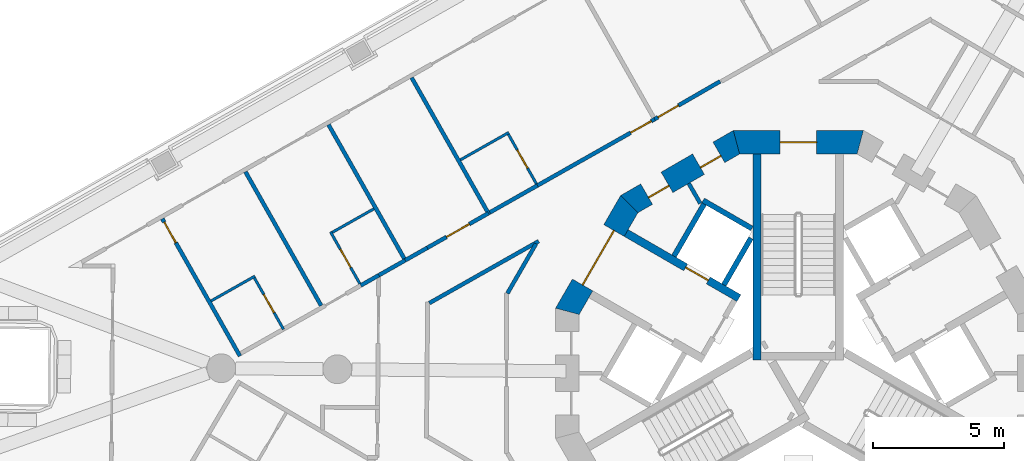
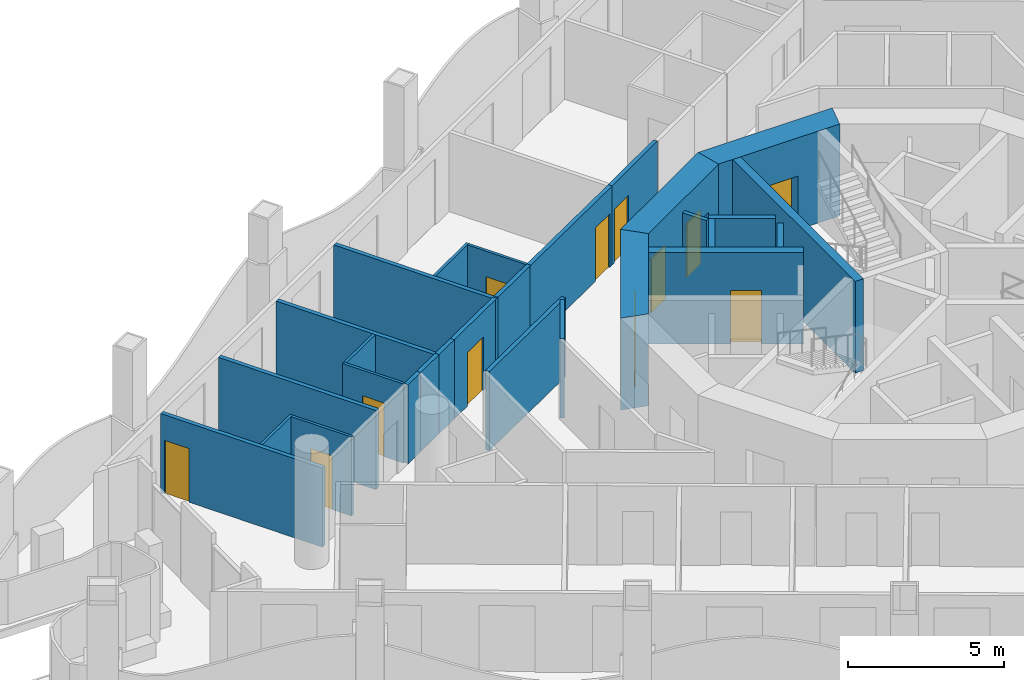
# One storey, part 7 of 17: 28 walls, 12 doors, 12 openings.
"""IFC4 building model written with IfcOpenShell, lengths in metres."""

from ifc_helpers import new_model, si_unit, direction, frame, frame_2d, origin, place, context, subcontext, project, spatial, polyline, rectangle, outline, extrude, material, layer, layer_set, type_object, element, fill, save


model = new_model("IFC4")

# Units and contexts
model_context = context("Model", 3, precision=1e-05, world=origin(), true_north=direction((0.0, 1.0)))
body_context = subcontext(model_context, "Body", "Model", "MODEL_VIEW")
ifc_project = project(units=[si_unit("LENGTHUNIT", "METRE"), si_unit("AREAUNIT", "SQUARE_METRE"), si_unit("VOLUMEUNIT", "CUBIC_METRE"), si_unit("PLANEANGLEUNIT", "RADIAN"), si_unit("MASSUNIT", "GRAM", prefix="KILO")], contexts=[model_context])

# Site, building, storey
site_placement = place(None, origin())
site = spatial("IfcSite", under=ifc_project, at=site_placement, CompositionType="ELEMENT")
building_placement = place(site_placement, origin())
building = spatial("IfcBuilding", under=site, at=building_placement, Name="Trine Commons Tower", CompositionType="ELEMENT")
storey_placement = place(building_placement, frame((0.0, 0.0, 189.89990234375)))
storey = spatial("IfcBuildingStorey", under=building, at=storey_placement, Name="L49", CompositionType="ELEMENT", Elevation=189.89990234375)

# Wall
ifc_material_1 = material(Name="Plasterboard partition on steel studs", Category="steel")
ifc_layer_1 = layer(ifc_material_1, 0.14990234375)
ifc_layer_set_1 = layer_set([ifc_layer_1], Name="Plasterboard partition on steel studs")
wall_type_1 = type_object("IfcWallType", Name="Core room partition 150 mm, EI 60", PredefinedType="PARTITIONING", material=ifc_layer_set_1)
wall_1_placement = place(storey_placement, frame((75.81396484375, 69.7509765625, 0.0), z_axis=(0.0, 0.0, 1.0), x_axis=(0.499890179513, -0.866088799389, 0.0)))
element("IfcWall", 1, at=wall_1_placement, inside=storey, type_object=wall_type_1, Name="Core room partition L49", PredefinedType="PARTITIONING", context=body_context, shape_type="SweptSolid", body=[
    extrude(rectangle(XDim=0.882080078125, YDim=0.14990234375, at=frame_2d((0.44091796875, 0.0))), origin(), (0.0, 0.0, 1.0), 3.10009765625),
])

# Wall, opening, door
ifc_material_2 = material(Name="Concrete C60/75", Category="concrete")
ifc_layer_2 = layer(ifc_material_2, 0.300048828125)
ifc_layer_set_2 = layer_set([ifc_layer_2], Name="Concrete C60/75")
wall_type_2 = type_object("IfcWallType", Name="RC shear wall 300 mm, C60/75", PredefinedType="SHEAR", material=ifc_layer_set_2)
wall_2_placement = place(storey_placement, frame((77.73095703125, 65.368896484375, 0.0), z_axis=(0.0, 0.0, 1.0), x_axis=(-0.865983655544, 0.500072303102, 0.0)))
wall_2 = element("IfcWall", 2, at=wall_2_placement, inside=storey, type_object=wall_type_2, Name="Core cross wall SWB-02 L49", PredefinedType="SHEAR", context=body_context, shape_type="SweptSolid", body=[
    extrude(rectangle(XDim=4.973388671875, YDim=0.300048828125, at=frame_2d((2.48681640625, 0.0))), origin(), (0.0, 0.0, 1.0), 3.60009765625),
])
opening_1_placement = place(wall_2_placement, frame((1.3505859375, 0.0, 0.0)))
opening_1 = element("IfcOpeningElement", 3, at=opening_1_placement, cuts=wall_2, Name="Opening LD8", PredefinedType="OPENING", context=body_context, shape_type="SweptSolid", body=[
    extrude(rectangle(XDim=1.0, YDim=2.10009765625, at=frame_2d((0.5, 1.050048828125))), frame((0.0, 0.159912109375, 0.0), z_axis=(0.0, -1.0, 0.0), x_axis=(1.0, 0.0, 0.0)), (0.0, 0.0, 1.0), 0.320068359375),
])
ifc_material_3 = material(Name="Stainless steel sliding door leaves", Category="steel")
door_type_1 = type_object("IfcDoorType", Name="Lift landing door, centre-opening sliding 1000 x 2100, FD90", OperationType="DOUBLE_DOOR_SLIDING", PredefinedType="DOOR", material=ifc_material_3)
door_1_placement = place(opening_1_placement, origin())
door_1 = element("IfcDoor", 4, at=door_1_placement, inside=storey, type_object=door_type_1, Name="Lift landing door HR4 L49", OperationType="DOUBLE_DOOR_SLIDING", OverallHeight=2.10009765625, OverallWidth=1.0, PredefinedType="DOOR", context=body_context, shape_type="SweptSolid", body=[
    extrude(rectangle(XDim=1.0, YDim=2.10009765625, at=frame_2d((0.5, 1.050048828125))), frame((0.0, 0.02490234375, 0.0), z_axis=(0.0, -1.0, 0.0), x_axis=(1.0, 0.0, 0.0)), (0.0, 0.0, 1.0), 0.050048828125),
])
fill(opening_1, door_1)

# Wall
wall_3_placement = place(storey_placement, frame((78.425048828125, 63.0009765625, 0.0), z_axis=(0.0, 0.0, 1.0), x_axis=(0.0, 1.0, 0.0)))
element("IfcWall", 5, at=wall_3_placement, inside=storey, type_object=wall_type_2, Name="Core cross wall SWB-08 L49", PredefinedType="SHEAR", context=body_context, shape_type="SweptSolid", body=[
    extrude(rectangle(XDim=7.8720703125, YDim=0.300048828125, at=frame_2d((3.93603515625, 0.0))), origin(), (0.0, 0.0, 1.0), 3.60009765625),
])

# Wall, opening, door
ifc_layer_3 = layer(ifc_material_2, 0.89990234375)
ifc_layer_set_3 = layer_set([ifc_layer_3], Name="Concrete C60/75")
wall_type_3 = type_object("IfcWallType", Name="RC shear wall 900 mm, C60/75", PredefinedType="SHEAR", material=ifc_layer_set_3)
wall_4_placement = place(storey_placement, frame((82.484619140625, 71.322998046875, 0.0), z_axis=(0.0, 0.0, 1.0), x_axis=(-1.0, 0.0, 0.0)))
wall_4 = element("IfcWall", 6, at=wall_4_placement, inside=storey, type_object=wall_type_3, Name="Core wall CWE-04 L49", PredefinedType="SHEAR", context=body_context, shape_type="SweptSolid", body=[
    extrude(outline(polyline([(0.0, -0.449951171875), (4.969482421875, -0.449951171875), (4.728271484375, 0.449951171875), (0.2412109375, 0.449951171875), (0.0, -0.449951171875)])), origin(), (0.0, 0.0, 1.0), 3.60009765625),
])
opening_2_placement = place(wall_4_placement, frame((1.78466796875, 0.0, 0.0)))
opening_2 = element("IfcOpeningElement", 7, at=opening_2_placement, cuts=wall_4, Name="Opening K12.01", PredefinedType="OPENING", context=body_context, shape_type="SweptSolid", body=[
    extrude(rectangle(XDim=1.39990234375, YDim=2.10009765625, at=frame_2d((0.699951171875, 1.050048828125))), frame((0.0, 0.4599609375, 0.0), z_axis=(0.0, -1.0, 0.0), x_axis=(1.0, 0.0, 0.0)), (0.0, 0.0, 1.0), 0.919921875),
])
ifc_material_4 = material(Name="Steel door leaves, fire-rated", Category="steel")
door_type_2 = type_object("IfcDoorType", Name="Stair door, double leaf 1400 x 2100, FD90", OperationType="DOUBLE_DOOR_SINGLE_SWING", PredefinedType="DOOR", material=ifc_material_4)
door_2_placement = place(opening_2_placement, origin())
door_2 = element("IfcDoor", 8, at=door_2_placement, inside=storey, type_object=door_type_2, Name="Stair door to Exit stair ST1B L49", OperationType="DOUBLE_DOOR_SINGLE_SWING", OverallHeight=2.10009765625, OverallWidth=1.39990234375, PredefinedType="DOOR", context=body_context, shape_type="SweptSolid", body=[
    extrude(rectangle(XDim=1.39990234375, YDim=2.10009765625, at=frame_2d((0.699951171875, 1.050048828125))), frame((0.0, 0.02490234375, 0.0), z_axis=(0.0, -1.0, 0.0), x_axis=(1.0, 0.0, 0.0)), (0.0, 0.0, 1.0), 0.050048828125),
])
fill(opening_2, door_2)

# Wall, openings, doors
wall_5_placement = place(storey_placement, frame((77.740234375, 71.38330078125, 0.0), z_axis=(0.0, 0.0, 1.0), x_axis=(-0.866003133579, -0.500038571144, 0.0)))
wall_5 = element("IfcWall", 9, at=wall_5_placement, inside=storey, type_object=wall_type_3, Name="Core wall CWE-05 L49", PredefinedType="SHEAR", context=body_context, shape_type="SweptSolid", body=[
    extrude(outline(polyline([(0.0, -0.449951171875), (4.96923828125, -0.449951171875), (4.72802734375, 0.449951171875), (0.2412109375, 0.449951171875), (0.0, -0.449951171875)])), origin(), (0.0, 0.0, 1.0), 3.60009765625),
])
opening_3_placement = place(wall_5_placement, frame((0.89501953125, 0.0, 0.0)))
opening_3 = element("IfcOpeningElement", 10, at=opening_3_placement, cuts=wall_5, Name="Opening K12.14", PredefinedType="OPENING", context=body_context, shape_type="SweptSolid", body=[
    extrude(rectangle(XDim=0.89990234375, YDim=2.10009765625, at=frame_2d((0.449951171875, 1.050048828125))), frame((0.0, 0.4599609375, 0.0), z_axis=(0.0, -1.0, 0.0), x_axis=(1.0, 0.0, 0.0)), (0.0, 0.0, 1.0), 0.919921875),
])
opening_4_placement = place(wall_5_placement, frame((3.18408203125, 0.0, 0.0)))
opening_4 = element("IfcOpeningElement", 11, at=opening_4_placement, cuts=wall_5, Name="Opening K12.15", PredefinedType="OPENING", context=body_context, shape_type="SweptSolid", body=[
    extrude(rectangle(XDim=0.89990234375, YDim=2.10009765625, at=frame_2d((0.449951171875, 1.050048828125))), frame((0.0, 0.4599609375, 0.0), z_axis=(0.0, -1.0, 0.0), x_axis=(1.0, 0.0, 0.0)), (0.0, 0.0, 1.0), 0.919921875),
])
ifc_material_5 = material(Name="Steel door leaf, fire-rated", Category="steel")
door_type_3 = type_object("IfcDoorType", Name="Core room door, single leaf 900 x 2100, FD30S", OperationType="SINGLE_SWING_LEFT", PredefinedType="DOOR", material=ifc_material_5)
door_3_placement = place(opening_3_placement, origin())
door_3 = element("IfcDoor", 12, at=door_3_placement, inside=storey, type_object=door_type_3, Name="Door to Cleaner's store L49", OperationType="SINGLE_SWING_LEFT", OverallHeight=2.10009765625, OverallWidth=0.89990234375, PredefinedType="DOOR", context=body_context, shape_type="SweptSolid", body=[
    extrude(rectangle(XDim=0.89990234375, YDim=2.10009765625, at=frame_2d((0.449951171875, 1.050048828125))), frame((0.0, 0.1748046875, 0.0), z_axis=(0.0, -1.0, 0.0), x_axis=(1.0, 0.0, 0.0)), (0.0, 0.0, 1.0), 0.050048828125),
])
fill(opening_3, door_3)
door_4_placement = place(opening_4_placement, origin())
door_4 = element("IfcDoor", 13, at=door_4_placement, inside=storey, type_object=door_type_3, Name="Door to Accessible WC L49", OperationType="SINGLE_SWING_RIGHT", OverallHeight=2.10009765625, OverallWidth=0.89990234375, PredefinedType="DOOR", context=body_context, shape_type="SweptSolid", body=[
    extrude(rectangle(XDim=0.89990234375, YDim=2.10009765625, at=frame_2d((0.449951171875, 1.050048828125))), frame((0.0, 0.1748046875, 0.0), z_axis=(0.0, -1.0, 0.0), x_axis=(1.0, 0.0, 0.0)), (0.0, 0.0, 1.0), 0.050048828125),
])
fill(opening_4, door_4)

# Wall, opening, door
wall_6_placement = place(storey_placement, frame((73.6015625, 69.063232421875, 0.0), z_axis=(0.0, 0.0, 1.0), x_axis=(-0.500038571144, -0.866003133579, 0.0)))
wall_6 = element("IfcWall", 14, at=wall_6_placement, inside=storey, type_object=wall_type_3, Name="Core wall CWE-06 L49", PredefinedType="SHEAR", context=body_context, shape_type="SweptSolid", body=[
    extrude(outline(polyline([(0.0, -0.449951171875), (4.96923828125, -0.449951171875), (4.72802734375, 0.449951171875), (0.2412109375, 0.449951171875), (0.0, -0.449951171875)])), origin(), (0.0, 0.0, 1.0), 3.60009765625),
])
opening_5_placement = place(wall_6_placement, frame((1.28466796875, 0.0, 0.0)))
opening_5 = element("IfcOpeningElement", 15, at=opening_5_placement, cuts=wall_6, Name="Opening K12.06", PredefinedType="OPENING", context=body_context, shape_type="SweptSolid", body=[
    extrude(rectangle(XDim=2.39990234375, YDim=2.10009765625, at=frame_2d((1.199951171875, 1.050048828125))), frame((0.0, 0.4599609375, 0.0), z_axis=(0.0, -1.0, 0.0), x_axis=(1.0, 0.0, 0.0)), (0.0, 0.0, 1.0), 0.919921875),
])
door_type_4 = type_object("IfcDoorType", Name="Lobby door, double leaf 2400 x 2100, FD60", OperationType="DOUBLE_DOOR_SINGLE_SWING", PredefinedType="DOOR", material=ifc_material_4)
door_5_placement = place(opening_5_placement, origin())
door_5 = element("IfcDoor", 16, at=door_5_placement, inside=storey, type_object=door_type_4, Name="Lobby door, Passenger lift lobby B L49", OperationType="DOUBLE_DOOR_SINGLE_SWING", OverallHeight=2.10009765625, OverallWidth=2.39990234375, PredefinedType="DOOR", context=body_context, shape_type="SweptSolid", body=[
    extrude(rectangle(XDim=2.39990234375, YDim=2.10009765625, at=frame_2d((1.199951171875, 1.050048828125))), frame((0.0, 0.02490234375, 0.0), z_axis=(0.0, -1.0, 0.0), x_axis=(1.0, 0.0, 0.0)), (0.0, 0.0, 1.0), 0.050048828125),
])
fill(opening_5, door_5)

# Walls
ifc_material_6 = material(Name="Fire-rated gypsum shaft wall system")
ifc_layer_4 = layer(ifc_material_6, 0.199951171875)
ifc_layer_set_4 = layer_set([ifc_layer_4], Name="Fire-rated gypsum shaft wall system")
wall_type_4 = type_object("IfcWallType", Name="Shaft wall 200 mm, EI 120", PredefinedType="PARTITIONING", material=ifc_layer_set_4)
wall_7_placement = place(storey_placement, frame((75.2509765625, 66.97412109375, 0.0), z_axis=(0.0, 0.0, 1.0), x_axis=(0.500136062276, 0.86594683394, 0.0)))
element("IfcWall", 17, at=wall_7_placement, inside=storey, type_object=wall_type_4, Name="Shaft wall L49", PredefinedType="PARTITIONING", context=body_context, shape_type="SweptSolid", body=[
    extrude(rectangle(XDim=2.299072265625, YDim=0.199951171875, at=frame_2d((1.1494140625, 0.0))), origin(), (0.0, 0.0, 1.0), 3.10009765625),
])
wall_8_placement = place(storey_placement, frame((77.156005859375, 65.8740234375, 0.0), z_axis=(0.0, 0.0, 1.0), x_axis=(0.499865770674, 0.866102887253, 0.0)))
element("IfcWall", 18, at=wall_8_placement, inside=storey, type_object=wall_type_4, Name="Shaft wall L49", PredefinedType="PARTITIONING", context=body_context, shape_type="SweptSolid", body=[
    extrude(rectangle(XDim=2.064453125, YDim=0.199951171875, at=frame_2d((1.0322265625, 0.0))), origin(), (0.0, 0.0, 1.0), 3.10009765625),
])
wall_9_placement = place(storey_placement, frame((78.22509765625, 68.028076171875, 0.0), z_axis=(0.0, 0.0, 1.0), x_axis=(-0.866130725101, 0.499817533742, 0.0)))
element("IfcWall", 19, at=wall_9_placement, inside=storey, type_object=wall_type_4, Name="Shaft wall L49", PredefinedType="PARTITIONING", context=body_context, shape_type="SweptSolid", body=[
    extrude(rectangle(XDim=2.148681640625, YDim=0.199951171875, at=frame_2d((1.07421875, 0.0))), origin(), (0.0, 0.0, 1.0), 3.10009765625),
])

# Wall, opening, door
ifc_material_7 = material(Name="Gypsum plasterboard on steel stud", Category="steel")
ifc_layer_5 = layer(ifc_material_7, 0.14990234375)
ifc_layer_set_5 = layer_set([ifc_layer_5], Name="Gypsum plasterboard on steel stud")
wall_type_5 = type_object("IfcWallType", Name="Unit and corridor wall 150 mm, EI 60", PredefinedType="PARTITIONING", material=ifc_layer_set_5)
wall_10_placement = place(storey_placement, frame((55.708740234375, 68.401123046875, 0.0), z_axis=(0.0, 0.0, 1.0), x_axis=(0.492481823802, -0.870322729351, 0.0)))
wall_10 = element("IfcWall", 20, at=wall_10_placement, inside=storey, type_object=wall_type_5, Name="Partition 002", PredefinedType="PARTITIONING", context=body_context, shape_type="SweptSolid", body=[
    extrude(rectangle(XDim=6.024658203125, YDim=0.14990234375, at=frame_2d((3.01220703125, 0.0))), origin(), (0.0, 0.0, 1.0), 3.10009765625),
])
opening_6_placement = place(wall_10_placement, frame((0.14990234375, 0.0, 0.0)))
opening_6 = element("IfcOpeningElement", 21, at=opening_6_placement, cuts=wall_10, Name="Opening D-5C06", PredefinedType="OPENING", context=body_context, shape_type="SweptSolid", body=[
    extrude(rectangle(XDim=0.89990234375, YDim=2.10009765625, at=frame_2d((0.449951171875, 1.050048828125))), frame((0.0, 0.0849609375, 0.0), z_axis=(0.0, -1.0, 0.0), x_axis=(1.0, 0.0, 0.0)), (0.0, 0.0, 1.0), 0.169921875),
])
ifc_material_8 = material(Name="Timber fire door set", Category="wood")
door_type_5 = type_object("IfcDoorType", Name="Bedroom door 900 x 2100, FD30S", OperationType="NOTDEFINED", PredefinedType="DOOR", material=ifc_material_8)
door_6_placement = place(opening_6_placement, origin())
door_6 = element("IfcDoor", 22, at=door_6_placement, inside=storey, type_object=door_type_5, Name="Door D-5C06", OperationType="SINGLE_SWING_LEFT", OverallHeight=2.10009765625, OverallWidth=0.89990234375, PredefinedType="DOOR", context=body_context, shape_type="SweptSolid", body=[
    extrude(rectangle(XDim=0.89990234375, YDim=2.10009765625, at=frame_2d((0.449951171875, 1.050048828125))), frame((0.0, 0.02490234375, 0.0), z_axis=(0.0, -1.0, 0.0), x_axis=(1.0, 0.0, 0.0)), (0.0, 0.0, 1.0), 0.050048828125),
])
fill(opening_6, door_6)

# Walls
wall_11_placement = place(storey_placement, frame((58.8837890625, 70.197265625, 0.0), z_axis=(0.0, 0.0, 1.0), x_axis=(0.492361245758, -0.870390948756, 0.0)))
element("IfcWall", 23, at=wall_11_placement, inside=storey, type_object=wall_type_5, Name="Partition 008", PredefinedType="PARTITIONING", context=body_context, shape_type="SweptSolid", body=[
    extrude(rectangle(XDim=5.87451171875, YDim=0.14990234375, at=frame_2d((2.937255859375, 0.0))), origin(), (0.0, 0.0, 1.0), 3.10009765625),
])
wall_12_placement = place(storey_placement, frame((62.0576171875, 71.9931640625, 0.0), z_axis=(0.0, 0.0, 1.0), x_axis=(0.492391211334, -0.870373997199, 0.0)))
element("IfcWall", 24, at=wall_12_placement, inside=storey, type_object=wall_type_5, Name="Partition 015", PredefinedType="PARTITIONING", context=body_context, shape_type="SweptSolid", body=[
    extrude(rectangle(XDim=5.949462890625, YDim=0.14990234375, at=frame_2d((2.974609375, 0.0))), origin(), (0.0, 0.0, 1.0), 3.10009765625),
])
wall_13_placement = place(storey_placement, frame((63.287109375, 65.85302734375, 0.0), z_axis=(0.0, 0.0, 1.0), x_axis=(0.870304245998, 0.492514486485, 0.0)))
element("IfcWall", 25, at=wall_13_placement, inside=storey, type_object=wall_type_5, Name="Partition 018", PredefinedType="PARTITIONING", context=body_context, shape_type="SweptSolid", body=[
    extrude(rectangle(XDim=0.791748046875, YDim=0.14990234375, at=frame_2d((0.39599609375, 0.0))), origin(), (0.0, 0.0, 1.0), 3.10009765625),
])
wall_14_placement = place(storey_placement, frame((63.97607421875, 66.242919921875, 0.0), z_axis=(0.0, 0.0, 1.0), x_axis=(0.870234820761, 0.492637145102, 0.0)))
element("IfcWall", 26, at=wall_14_placement, inside=storey, type_object=wall_type_5, Name="Partition 022", PredefinedType="PARTITIONING", context=body_context, shape_type="SweptSolid", body=[
    extrude(rectangle(XDim=1.1650390625, YDim=0.14990234375, at=frame_2d((0.58251953125, 0.0))), origin(), (0.0, 0.0, 1.0), 3.10009765625),
])
wall_15_placement = place(storey_placement, frame((64.98388671875, 66.81298828125, 0.0), z_axis=(0.0, 0.0, 1.0), x_axis=(0.870488073498, 0.492189510145, 0.0)))
element("IfcWall", 27, at=wall_15_placement, inside=storey, type_object=wall_type_5, Name="Partition 024", PredefinedType="PARTITIONING", context=body_context, shape_type="SweptSolid", body=[
    extrude(rectangle(XDim=0.97314453125, YDim=0.14990234375, at=frame_2d((0.486572265625, 0.0))), origin(), (0.0, 0.0, 1.0), 3.10009765625),
])
wall_16_placement = place(storey_placement, frame((65.231689453125, 73.789306640625, 0.0), z_axis=(0.0, 0.0, 1.0), x_axis=(0.492495148892, -0.870315189065, 0.0)))
element("IfcWall", 28, at=wall_16_placement, inside=storey, type_object=wall_type_5, Name="Partition 026", PredefinedType="PARTITIONING", context=body_context, shape_type="SweptSolid", body=[
    extrude(rectangle(XDim=6.02490234375, YDim=0.14990234375, at=frame_2d((3.012451171875, 0.0))), origin(), (0.0, 0.0, 1.0), 3.10009765625),
])

# Wall, opening, door
wall_17_placement = place(storey_placement, frame((65.8310546875, 67.2919921875, 0.0), z_axis=(0.0, 0.0, 1.0), x_axis=(0.870269372047, 0.492576105873, 0.0)))
wall_17 = element("IfcWall", 29, at=wall_17_placement, inside=storey, type_object=wall_type_5, Name="Partition 030", PredefinedType="PARTITIONING", context=body_context, shape_type="SweptSolid", body=[
    extrude(rectangle(XDim=2.681884765625, YDim=0.14990234375, at=frame_2d((1.3408203125, 0.0))), origin(), (0.0, 0.0, 1.0), 3.10009765625),
])
opening_7_placement = place(wall_17_placement, frame((0.839111328125, 0.0, 0.0)))
opening_7 = element("IfcOpeningElement", 30, at=opening_7_placement, cuts=wall_17, Name="Opening D-5C08", PredefinedType="OPENING", context=body_context, shape_type="SweptSolid", body=[
    extrude(rectangle(XDim=1.0, YDim=2.10009765625, at=frame_2d((0.5, 1.050048828125))), frame((0.0, 0.0849609375, 0.0), z_axis=(0.0, -1.0, 0.0), x_axis=(1.0, 0.0, 0.0)), (0.0, 0.0, 1.0), 0.169921875),
])
ifc_material_9 = material(Name="Painted timber", Category="wood")
door_type_6 = type_object("IfcDoorType", Name="Amenity room door 1000 x 2100, NOT RATED", OperationType="NOTDEFINED", PredefinedType="DOOR", material=ifc_material_9)
door_7_placement = place(opening_7_placement, origin())
door_7 = element("IfcDoor", 31, at=door_7_placement, inside=storey, type_object=door_type_6, Name="Door D-5C08", OperationType="SINGLE_SWING_LEFT", OverallHeight=2.10009765625, OverallWidth=1.0, PredefinedType="DOOR", context=body_context, shape_type="SweptSolid", body=[
    extrude(rectangle(XDim=1.0, YDim=2.10009765625, at=frame_2d((0.5, 1.050048828125))), frame((0.0, 0.02490234375, 0.0), z_axis=(0.0, -1.0, 0.0), x_axis=(1.0, 0.0, 0.0)), (0.0, 0.0, 1.0), 0.050048828125),
])
fill(opening_7, door_7)

# Walls
wall_18_placement = place(storey_placement, frame((65.9072265625, 65.180908203125, 0.0), z_axis=(0.0, 0.0, 1.0), x_axis=(0.870373278687, 0.492392481408, 0.0)))
element("IfcWall", 32, at=wall_18_placement, inside=storey, type_object=wall_type_5, Name="Partition 031", PredefinedType="PARTITIONING", context=body_context, shape_type="SweptSolid", body=[
    extrude(rectangle(XDim=4.799072265625, YDim=0.14990234375, at=frame_2d((2.3994140625, 0.0))), origin(), (0.0, 0.0, 1.0), 3.10009765625),
])
wall_19_placement = place(storey_placement, frame((68.224365234375, 68.64599609375, 0.0), z_axis=(0.0, 0.0, 1.0), x_axis=(0.870106004403, 0.492864627562, 0.0)))
element("IfcWall", 33, at=wall_19_placement, inside=storey, type_object=wall_type_5, Name="Partition 034", PredefinedType="PARTITIONING", context=body_context, shape_type="SweptSolid", body=[
    extrude(rectangle(XDim=2.08203125, YDim=0.14990234375, at=frame_2d((1.041015625, 0.0))), origin(), (0.0, 0.0, 1.0), 3.10009765625),
])
wall_20_placement = place(storey_placement, frame((68.889404296875, 65.552001953125, 0.0), z_axis=(0.0, 0.0, 1.0), x_axis=(0.499825543119, 0.866126103086, 0.0)))
element("IfcWall", 34, at=wall_20_placement, inside=storey, type_object=wall_type_5, Name="Partition 037", PredefinedType="PARTITIONING", context=body_context, shape_type="SweptSolid", body=[
    extrude(rectangle(XDim=2.186767578125, YDim=0.14990234375, at=frame_2d((1.09326171875, 0.0))), origin(), (0.0, 0.0, 1.0), 3.10009765625),
])

# Wall, opening, door
wall_21_placement = place(storey_placement, frame((69.986572265625, 69.643310546875, 0.0), z_axis=(0.0, 0.0, 1.0), x_axis=(0.870328275293, 0.492472022785, 0.0)))
wall_21 = element("IfcWall", 35, at=wall_21_placement, inside=storey, type_object=wall_type_5, Name="Partition 039", PredefinedType="PARTITIONING", context=body_context, shape_type="SweptSolid", body=[
    extrude(rectangle(XDim=5.197509765625, YDim=0.14990234375, at=frame_2d((2.5986328125, 0.0))), origin(), (0.0, 0.0, 1.0), 3.10009765625),
])
opening_8_placement = place(wall_21_placement, frame((4.1474609375, 0.0, 0.0)))
opening_8 = element("IfcOpeningElement", 36, at=opening_8_placement, cuts=wall_21, Name="Opening D-5C09", PredefinedType="OPENING", context=body_context, shape_type="SweptSolid", body=[
    extrude(rectangle(XDim=0.89990234375, YDim=2.10009765625, at=frame_2d((0.449951171875, 1.050048828125))), frame((0.0, 0.0849609375, 0.0), z_axis=(0.0, -1.0, 0.0), x_axis=(1.0, 0.0, 0.0)), (0.0, 0.0, 1.0), 0.169921875),
])
door_8_placement = place(opening_8_placement, origin())
door_8 = element("IfcDoor", 37, at=door_8_placement, inside=storey, type_object=door_type_5, Name="Door D-5C09", OperationType="SINGLE_SWING_RIGHT", OverallHeight=2.10009765625, OverallWidth=0.89990234375, PredefinedType="DOOR", context=body_context, shape_type="SweptSolid", body=[
    extrude(rectangle(XDim=0.89990234375, YDim=2.10009765625, at=frame_2d((0.449951171875, 1.050048828125))), frame((0.0, 0.02490234375, 0.0), z_axis=(0.0, -1.0, 0.0), x_axis=(1.0, 0.0, 0.0)), (0.0, 0.0, 1.0), 0.050048828125),
])
fill(opening_8, door_8)

wall_22_placement = place(storey_placement, frame((74.510009765625, 72.202880859375, 0.0), z_axis=(0.0, 0.0, 1.0), x_axis=(0.86602521942, 0.500000319328, 0.0)))
wall_22 = element("IfcWall", 38, at=wall_22_placement, inside=storey, type_object=wall_type_5, Name="Partition 044", PredefinedType="PARTITIONING", context=body_context, shape_type="SweptSolid", body=[
    extrude(rectangle(XDim=2.89013671875, YDim=0.14990234375, at=frame_2d((1.445068359375, 0.0))), origin(), (0.0, 0.0, 1.0), 3.10009765625),
])
opening_9_placement = place(wall_22_placement, frame((0.14990234375, 0.0, 0.0)))
opening_9 = element("IfcOpeningElement", 39, at=opening_9_placement, cuts=wall_22, Name="Opening D-5C10", PredefinedType="OPENING", context=body_context, shape_type="SweptSolid", body=[
    extrude(rectangle(XDim=0.89990234375, YDim=2.10009765625, at=frame_2d((0.449951171875, 1.050048828125))), frame((0.0, 0.0849609375, 0.0), z_axis=(0.0, -1.0, 0.0), x_axis=(1.0, 0.0, 0.0)), (0.0, 0.0, 1.0), 0.169921875),
])
door_9_placement = place(opening_9_placement, origin())
door_9 = element("IfcDoor", 40, at=door_9_placement, inside=storey, type_object=door_type_5, Name="Door D-5C10", OperationType="SINGLE_SWING_LEFT", OverallHeight=2.10009765625, OverallWidth=0.89990234375, PredefinedType="DOOR", context=body_context, shape_type="SweptSolid", body=[
    extrude(rectangle(XDim=0.89990234375, YDim=2.10009765625, at=frame_2d((0.449951171875, 1.050048828125))), frame((0.0, 0.02490234375, 0.0), z_axis=(0.0, -1.0, 0.0), x_axis=(1.0, 0.0, 0.0)), (0.0, 0.0, 1.0), 0.050048828125),
])
fill(opening_9, door_9)

# Wall
ifc_layer_6 = layer(ifc_material_7, 0.10009765625)
ifc_layer_set_6 = layer_set([ifc_layer_6], Name="Gypsum plasterboard on steel stud")
wall_type_6 = type_object("IfcWallType", Name="Unit partition 100 mm, no rating", PredefinedType="PARTITIONING", material=ifc_layer_set_6)
wall_23_placement = place(storey_placement, frame((57.5712890625, 65.261962890625, 0.0), z_axis=(0.0, 0.0, 1.0), x_axis=(0.870373787042, 0.492391582818, 0.0)))
element("IfcWall", 41, at=wall_23_placement, inside=storey, type_object=wall_type_6, Name="Partition 005", PredefinedType="PARTITIONING", context=body_context, shape_type="SweptSolid", body=[
    extrude(rectangle(XDim=1.9248046875, YDim=0.10009765625, at=frame_2d((0.96240234375, 0.0))), origin(), (0.0, 0.0, 1.0), 3.10009765625),
])

# Wall, opening, door
wall_24_placement = place(storey_placement, frame((59.2275390625, 66.1416015625, 0.0), z_axis=(0.0, 0.0, 1.0), x_axis=(0.492536208657, -0.87029195283, 0.0)))
wall_24 = element("IfcWall", 42, at=wall_24_placement, inside=storey, type_object=wall_type_6, Name="Partition 009", PredefinedType="PARTITIONING", context=body_context, shape_type="SweptSolid", body=[
    extrude(rectangle(XDim=2.25048828125, YDim=0.10009765625, at=frame_2d((1.125244140625, 0.0))), origin(), (0.0, 0.0, 1.0), 3.10009765625),
])
opening_10_placement = place(wall_24_placement, frame((0.72509765625, 0.0, 0.0)))
opening_10 = element("IfcOpeningElement", 43, at=opening_10_placement, cuts=wall_24, Name="Opening D-5C33", PredefinedType="OPENING", context=body_context, shape_type="SweptSolid", body=[
    extrude(rectangle(XDim=0.800048828125, YDim=2.10009765625, at=frame_2d((0.39990234375, 1.050048828125))), frame((0.0, 0.06005859375, 0.0), z_axis=(0.0, -1.0, 0.0), x_axis=(1.0, 0.0, 0.0)), (0.0, 0.0, 1.0), 0.1201171875),
])
door_type_7 = type_object("IfcDoorType", Name="Internal door 800 x 2100, NOT RATED", OperationType="NOTDEFINED", PredefinedType="DOOR", material=ifc_material_9)
door_10_placement = place(opening_10_placement, origin())
door_10 = element("IfcDoor", 44, at=door_10_placement, inside=storey, type_object=door_type_7, Name="Door D-5C33", OperationType="SINGLE_SWING_RIGHT", OverallHeight=2.10009765625, OverallWidth=0.800048828125, PredefinedType="DOOR", context=body_context, shape_type="SweptSolid", body=[
    extrude(rectangle(XDim=0.800048828125, YDim=2.10009765625, at=frame_2d((0.39990234375, 1.050048828125))), frame((0.0, 0.02490234375, 0.0), z_axis=(0.0, -1.0, 0.0), x_axis=(1.0, 0.0, 0.0)), (0.0, 0.0, 1.0), 0.050048828125),
])
fill(opening_10, door_10)

wall_25_placement = place(storey_placement, frame((62.13330078125, 67.900390625, 0.0), z_axis=(0.0, 0.0, 1.0), x_axis=(0.492308331861, -0.870420878874, 0.0)))
wall_25 = element("IfcWall", 45, at=wall_25_placement, inside=storey, type_object=wall_type_6, Name="Partition 016", PredefinedType="PARTITIONING", context=body_context, shape_type="SweptSolid", body=[
    extrude(rectangle(XDim=2.274658203125, YDim=0.10009765625, at=frame_2d((1.13720703125, 0.0))), origin(), (0.0, 0.0, 1.0), 3.10009765625),
])
opening_11_placement = place(wall_25_placement, frame((0.762451171875, 0.0, 0.0)))
opening_11 = element("IfcOpeningElement", 46, at=opening_11_placement, cuts=wall_25, Name="Opening D-5C34", PredefinedType="OPENING", context=body_context, shape_type="SweptSolid", body=[
    extrude(rectangle(XDim=0.800048828125, YDim=2.10009765625, at=frame_2d((0.39990234375, 1.050048828125))), frame((0.0, 0.06005859375, 0.0), z_axis=(0.0, -1.0, 0.0), x_axis=(1.0, 0.0, 0.0)), (0.0, 0.0, 1.0), 0.1201171875),
])
door_11_placement = place(opening_11_placement, frame((0.800048828125, 0.0, 0.0), z_axis=(0.0, 0.0, 1.0), x_axis=(-1.0, 0.0, 0.0)))
door_11 = element("IfcDoor", 47, at=door_11_placement, inside=storey, type_object=door_type_7, Name="Door D-5C34", OperationType="SINGLE_SWING_LEFT", OverallHeight=2.10009765625, OverallWidth=0.800048828125, PredefinedType="DOOR", context=body_context, shape_type="SweptSolid", body=[
    extrude(rectangle(XDim=0.800048828125, YDim=2.10009765625, at=frame_2d((0.39990234375, 1.050048828125))), frame((0.0, 0.02490234375, 0.0), z_axis=(0.0, -1.0, 0.0), x_axis=(1.0, 0.0, 0.0)), (0.0, 0.0, 1.0), 0.050048828125),
])
fill(opening_11, door_11)

# Walls
wall_26_placement = place(storey_placement, frame((62.201416015625, 67.881591796875, 0.0), z_axis=(0.0, 0.0, 1.0), x_axis=(0.870408310006, 0.492330553462, 0.0)))
element("IfcWall", 48, at=wall_26_placement, inside=storey, type_object=wall_type_6, Name="Partition 017", PredefinedType="PARTITIONING", context=body_context, shape_type="SweptSolid", body=[
    extrude(rectangle(XDim=1.824951171875, YDim=0.10009765625, at=frame_2d((0.91259765625, 0.0))), origin(), (0.0, 0.0, 1.0), 3.10009765625),
])
wall_27_placement = place(storey_placement, frame((67.09423828125, 70.64990234375, 0.0), z_axis=(0.0, 0.0, 1.0), x_axis=(0.870293094697, 0.492534191019, 0.0)))
element("IfcWall", 49, at=wall_27_placement, inside=storey, type_object=wall_type_6, Name="Partition 032", PredefinedType="PARTITIONING", context=body_context, shape_type="SweptSolid", body=[
    extrude(rectangle(XDim=2.125, YDim=0.10009765625, at=frame_2d((1.0625, 0.0))), origin(), (0.0, 0.0, 1.0), 3.10009765625),
])

# Wall, opening, door
wall_28_placement = place(storey_placement, frame((68.924560546875, 71.62841796875, 0.0), z_axis=(0.0, 0.0, 1.0), x_axis=(0.492593408535, -0.870259578441, 0.0)))
wall_28 = element("IfcWall", 50, at=wall_28_placement, inside=storey, type_object=wall_type_6, Name="Partition 038", PredefinedType="PARTITIONING", context=body_context, shape_type="SweptSolid", body=[
    extrude(rectangle(XDim=2.17529296875, YDim=0.10009765625, at=frame_2d((1.087646484375, 0.0))), origin(), (0.0, 0.0, 1.0), 3.10009765625),
])
opening_12_placement = place(wall_28_placement, frame((0.6875, 0.0, 0.0)))
opening_12 = element("IfcOpeningElement", 51, at=opening_12_placement, cuts=wall_28, Name="Opening D-5C35", PredefinedType="OPENING", context=body_context, shape_type="SweptSolid", body=[
    extrude(rectangle(XDim=0.800048828125, YDim=2.10009765625, at=frame_2d((0.39990234375, 1.050048828125))), frame((0.0, 0.06005859375, 0.0), z_axis=(0.0, -1.0, 0.0), x_axis=(1.0, 0.0, 0.0)), (0.0, 0.0, 1.0), 0.1201171875),
])
door_12_placement = place(opening_12_placement, origin())
door_12 = element("IfcDoor", 52, at=door_12_placement, inside=storey, type_object=door_type_7, Name="Door D-5C35", OperationType="SINGLE_SWING_LEFT", OverallHeight=2.10009765625, OverallWidth=0.800048828125, PredefinedType="DOOR", context=body_context, shape_type="SweptSolid", body=[
    extrude(rectangle(XDim=0.800048828125, YDim=2.10009765625, at=frame_2d((0.39990234375, 1.050048828125))), frame((0.0, 0.02490234375, 0.0), z_axis=(0.0, -1.0, 0.0), x_axis=(1.0, 0.0, 0.0)), (0.0, 0.0, 1.0), 0.050048828125),
])
fill(opening_12, door_12)

save(model, "model.ifc")
